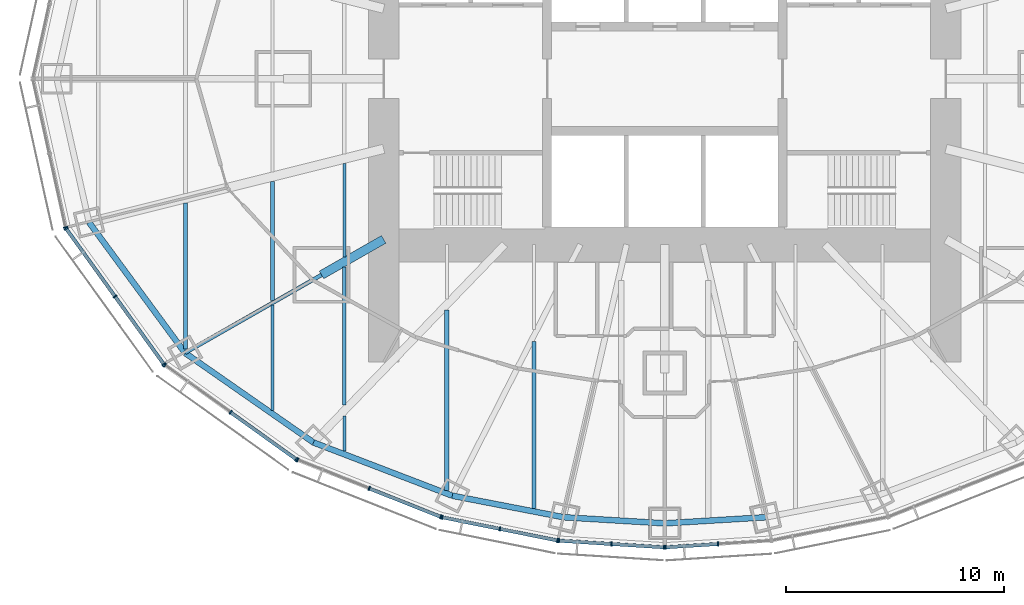
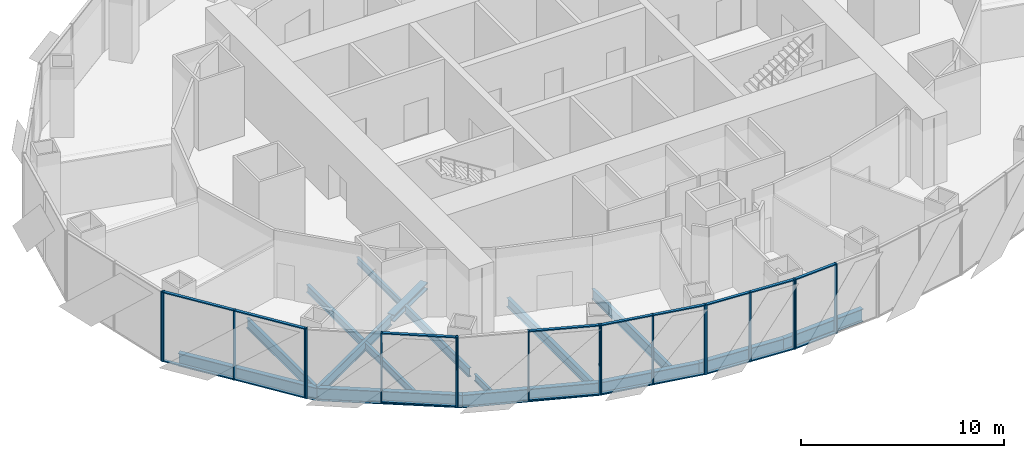
# One storey, part 2 of 17: 36 members, 16 beams, 7 elements without a shape of their own.
"""IFC4 building model written with IfcOpenShell, lengths in metres."""

from ifc_helpers import new_model, si_unit, direction, frame, origin, origin_2d, place, context, subcontext, project, spatial, rectangle, i_section, extrude, material, material_profile, profile_set, type_object, element, aggregate, save


model = new_model("IFC4")

# Units and contexts
model_context = context("Model", 3, precision=1e-05, world=origin(), true_north=direction((0.0, 1.0)))
body_context = subcontext(model_context, "Body", "Model", "MODEL_VIEW")
ifc_project = project(units=[si_unit("LENGTHUNIT", "METRE"), si_unit("AREAUNIT", "SQUARE_METRE"), si_unit("VOLUMEUNIT", "CUBIC_METRE"), si_unit("PLANEANGLEUNIT", "RADIAN"), si_unit("MASSUNIT", "GRAM", prefix="KILO")], contexts=[model_context])

# Site, building, storey
site_placement = place(None, origin())
site = spatial("IfcSite", under=ifc_project, at=site_placement, CompositionType="ELEMENT")
building_placement = place(site_placement, origin())
building = spatial("IfcBuilding", under=site, at=building_placement, Name="Lantaw Convention Tower", CompositionType="ELEMENT")
storey_placement = place(building_placement, frame((0.0, 0.0, 163.60009765625)))
storey = spatial("IfcBuildingStorey", under=building, at=storey_placement, Name="L38", CompositionType="ELEMENT", Elevation=163.60009765625)

# Beams
ifc_material_1 = material(Name="Steel ASTM A992", Category="steel")
ifc_material_profile_1 = material_profile(ifc_material_1, i_section(OverallWidth=0.2666015625, OverallDepth=0.76953125, WebThickness=0.015625, FlangeThickness=0.025390625, FilletRadius=0.0126953125, at=origin_2d()), Name="W30X132")
ifc_profile_set_1 = profile_set([ifc_material_profile_1], Name="Steel ASTM A992")
beam_type_1 = type_object("IfcBeamType", Name="Beam E W30X132", PredefinedType="SPANDREL", material=ifc_profile_set_1)
beam_1_placement = place(storey_placement, frame((-26.419921875, -6.587158203125, -0.534912109375), z_axis=(0.5923891972, -0.805651934176, 0.0), x_axis=(0.805651934176, 0.5923891972, 0.0)))
element("IfcBeam", 1, at=beam_1_placement, inside=storey, type_object=beam_type_1, Name="Edge beam 14", PredefinedType="SPANDREL", context=body_context, shape_type="SweptSolid", body=[
    extrude(i_section(OverallWidth=0.2666015625, OverallDepth=0.76953125, WebThickness=0.015625, FlangeThickness=0.025390625, FilletRadius=0.0126953125, at=origin_2d()), origin(), (0.0, 0.0, 1.0), 7.437744140625),
])
beam_2_placement = place(storey_placement, frame((-22.013916015625, -12.579345703125, -0.534912109375), z_axis=(0.820310765287, -0.57191804339, 0.0), x_axis=(0.57191804339, 0.820310765287, 0.0)))
element("IfcBeam", 2, at=beam_2_placement, inside=storey, type_object=beam_type_1, Name="Edge beam 15", PredefinedType="SPANDREL", context=body_context, shape_type="SweptSolid", body=[
    extrude(i_section(OverallWidth=0.2666015625, OverallDepth=0.76953125, WebThickness=0.015625, FlangeThickness=0.025390625, FilletRadius=0.0126953125, at=origin_2d()), origin(), (0.0, 0.0, 1.0), 7.187744140625),
])
beam_3_placement = place(storey_placement, frame((-16.11767578125, -16.690185546875, -0.534912109375), z_axis=(0.933691081977, -0.358079549033, 0.0), x_axis=(0.358079549033, 0.933691081977, 0.0)))
element("IfcBeam", 3, at=beam_3_placement, inside=storey, type_object=beam_type_1, Name="Edge beam 16", PredefinedType="SPANDREL", context=body_context, shape_type="SweptSolid", body=[
    extrude(i_section(OverallWidth=0.2666015625, OverallDepth=0.76953125, WebThickness=0.015625, FlangeThickness=0.025390625, FilletRadius=0.0126953125, at=origin_2d()), origin(), (0.0, 0.0, 1.0), 6.821533203125),
])
beam_4_placement = place(storey_placement, frame((-9.74853515625, -19.1328125, -0.534912109375), z_axis=(0.981796805654, -0.189934284446, 0.0), x_axis=(0.189934284446, 0.981796805654, 0.0)))
element("IfcBeam", 4, at=beam_4_placement, inside=storey, type_object=beam_type_1, Name="Edge beam 17", PredefinedType="SPANDREL", context=body_context, shape_type="SweptSolid", body=[
    extrude(i_section(OverallWidth=0.2666015625, OverallDepth=0.76953125, WebThickness=0.015625, FlangeThickness=0.025390625, FilletRadius=0.0126953125, at=origin_2d()), origin(), (0.0, 0.0, 1.0), 5.1982421875),
])
for number, where, z_axis, x_axis, name in (
    (5, (-4.64501953125, -20.1201171875, -0.534912109375), (0.998190892054, -0.06012439621, 0.0), (0.06012439621, 0.998190892054, 0.0), "Edge beam 18"),
    (6, (0.0, -20.39990234375, -0.534912109375), (0.998190892054, 0.06012439621, 0.0), (-0.06012439621, 0.998190892054, 0.0), "Edge beam 19"),
):
    element("IfcBeam", number, at=place(storey_placement, frame(where, z_axis=z_axis, x_axis=x_axis)), inside=storey, type_object=beam_type_1, Name=name, PredefinedType="SPANDREL", context=body_context, shape_type="SweptSolid", body=[
        extrude(i_section(OverallWidth=0.2666015625, OverallDepth=0.76953125, WebThickness=0.015625, FlangeThickness=0.025390625, FilletRadius=0.0126953125, at=origin_2d()), origin(), (0.0, 0.0, 1.0), 4.6533203125),
    ])
ifc_material_profile_2 = material_profile(ifc_material_1, i_section(OverallWidth=0.177978515625, OverallDepth=0.599365234375, WebThickness=0.010009765625, FlangeThickness=0.012939453125, FilletRadius=0.012939453125, at=origin_2d()), Name="W24X55")
ifc_profile_set_2 = profile_set([ifc_material_profile_2], Name="Steel ASTM A992")
beam_type_2 = type_object("IfcBeamType", Name="Beam G W24X55", PredefinedType="BEAM", material=ifc_profile_set_2)
beam_5_placement = place(storey_placement, frame((-15.75, -9.0, -0.44970703125), z_axis=(-0.868245224608, -0.496135293993, 0.0), x_axis=(0.496135293993, -0.868245224608, 0.0)))
element("IfcBeam", 7, at=beam_5_placement, inside=storey, type_object=beam_type_2, Name="Floor girder on ray 15", PredefinedType="BEAM", context=body_context, shape_type="SweptSolid", body=[
    extrude(i_section(OverallWidth=0.177978515625, OverallDepth=0.599365234375, WebThickness=0.010009765625, FlangeThickness=0.012939453125, FilletRadius=0.012939453125, at=origin_2d()), origin(), (0.0, 0.0, 1.0), 7.21435546875),
])
ifc_material_profile_3 = material_profile(ifc_material_1, i_section(OverallWidth=0.40380859375, OverallDepth=0.406494140625, WebThickness=0.027099609375, FlangeThickness=0.043701171875, FilletRadius=0.01513671875, at=origin_2d()), Name="W14X233")
ifc_profile_set_3 = profile_set([ifc_material_profile_3], Name="Steel ASTM A992")
beam_type_3 = type_object("IfcBeamType", Name="Beam GM W14X233", PredefinedType="BEAM", material=ifc_profile_set_3)
beam_6_placement = place(storey_placement, frame((-12.89990234375, -7.371337890625, -0.353271484375), z_axis=(-0.868238565244, -0.496146947811, 0.0), x_axis=(0.496146947811, -0.868238565244, 0.0)))
element("IfcBeam", 8, at=beam_6_placement, inside=storey, type_object=beam_type_3, Name="Core link beam on ray 15", PredefinedType="BEAM", context=body_context, shape_type="SweptSolid", body=[
    extrude(i_section(OverallWidth=0.40380859375, OverallDepth=0.406494140625, WebThickness=0.027099609375, FlangeThickness=0.043701171875, FilletRadius=0.01513671875, at=origin_2d()), origin(), (0.0, 0.0, 1.0), 3.28271484375),
])
ifc_material_profile_4 = material_profile(ifc_material_1, i_section(OverallWidth=0.140380859375, OverallDepth=0.40380859375, WebThickness=0.007080078125, FlangeThickness=0.01123046875, FilletRadius=0.01025390625, at=origin_2d()), Name="W16X31")
ifc_profile_set_4 = profile_set([ifc_material_profile_4], Name="Steel ASTM A992")
beam_type_4 = type_object("IfcBeamType", Name="Beam J W16X31", PredefinedType="JOIST", material=ifc_profile_set_4)
beam_7_placement = place(storey_placement, frame((-14.699951171875, -17.091064453125, -0.35205078125), z_axis=(0.0, 1.0, 0.0), x_axis=(-1.0, 0.0, 0.0)))
element("IfcBeam", 9, at=beam_7_placement, inside=storey, type_object=beam_type_4, Name="Floor joist", PredefinedType="JOIST", context=body_context, shape_type="SweptSolid", body=[
    extrude(i_section(OverallWidth=0.140380859375, OverallDepth=0.40380859375, WebThickness=0.007080078125, FlangeThickness=0.01123046875, FilletRadius=0.01025390625, at=origin_2d()), origin(), (0.0, 0.0, 1.0), 1.609130859375),
])
beam_8_placement = place(storey_placement, frame((-14.699951171875, -8.16748046875, -0.35205078125), z_axis=(0.0, 1.0, 0.0), x_axis=(-1.0, 0.0, 0.0)))
element("IfcBeam", 10, at=beam_8_placement, inside=storey, type_object=beam_type_4, Name="Floor joist", PredefinedType="JOIST", context=body_context, shape_type="SweptSolid", body=[
    extrude(i_section(OverallWidth=0.140380859375, OverallDepth=0.40380859375, WebThickness=0.007080078125, FlangeThickness=0.01123046875, FilletRadius=0.01025390625, at=origin_2d()), origin(), (0.0, 0.0, 1.0), 4.28515625),
])
ifc_material_profile_5 = material_profile(ifc_material_1, i_section(OverallWidth=0.15234375, OverallDepth=0.449462890625, WebThickness=0.007568359375, FlangeThickness=0.0107421875, FilletRadius=0.01025390625, at=origin_2d()), Name="W18X35")
ifc_profile_set_5 = profile_set([ifc_material_profile_5], Name="Steel ASTM A992")
beam_type_5 = type_object("IfcBeamType", Name="Beam J W18X35", PredefinedType="JOIST", material=ifc_profile_set_5)
beam_9_placement = place(storey_placement, frame((-18.0, -15.21533203125, -0.375), z_axis=(0.0, 1.0, 0.0), x_axis=(-1.0, 0.0, 0.0)))
element("IfcBeam", 11, at=beam_9_placement, inside=storey, type_object=beam_type_5, Name="Floor joist", PredefinedType="JOIST", context=body_context, shape_type="SweptSolid", body=[
    extrude(i_section(OverallWidth=0.15234375, OverallDepth=0.449462890625, WebThickness=0.007568359375, FlangeThickness=0.0107421875, FilletRadius=0.01025390625, at=origin_2d()), origin(), (0.0, 0.0, 1.0), 4.8271484375),
])
ifc_material_profile_6 = material_profile(ifc_material_1, i_section(OverallWidth=0.1904296875, OverallDepth=0.457275390625, WebThickness=0.009033203125, FlangeThickness=0.014404296875, FilletRadius=0.01025390625, at=origin_2d()), Name="W18X50")
ifc_profile_set_6 = profile_set([ifc_material_profile_6], Name="Steel ASTM A992")
beam_type_6 = type_object("IfcBeamType", Name="Beam J W18X50", PredefinedType="JOIST", material=ifc_profile_set_6)
beam_10_placement = place(storey_placement, frame((-18.0, -10.18310546875, -0.378662109375), z_axis=(0.0, 1.0, 0.0), x_axis=(-1.0, 0.0, 0.0)))
element("IfcBeam", 12, at=beam_10_placement, inside=storey, type_object=beam_type_6, Name="Floor joist", PredefinedType="JOIST", context=body_context, shape_type="SweptSolid", body=[
    extrude(i_section(OverallWidth=0.1904296875, OverallDepth=0.457275390625, WebThickness=0.009033203125, FlangeThickness=0.014404296875, FilletRadius=0.01025390625, at=origin_2d()), origin(), (0.0, 0.0, 1.0), 5.47802734375),
])
ifc_material_profile_7 = material_profile(ifc_material_1, i_section(OverallWidth=0.1650390625, OverallDepth=0.52587890625, WebThickness=0.0087890625, FlangeThickness=0.011474609375, FilletRadius=0.0126953125, at=origin_2d()), Name="W21X44")
ifc_profile_set_7 = profile_set([ifc_material_profile_7], Name="Steel ASTM A992")
beam_type_7 = type_object("IfcBeamType", Name="Beam J W21X44", PredefinedType="JOIST", material=ifc_profile_set_7)
beam_11_placement = place(storey_placement, frame((-14.699951171875, -14.962646484375, -0.4130859375), z_axis=(0.0, 1.0, 0.0), x_axis=(-1.0, 0.0, 0.0)))
element("IfcBeam", 13, at=beam_11_placement, inside=storey, type_object=beam_type_7, Name="Floor joist", PredefinedType="JOIST", context=body_context, shape_type="SweptSolid", body=[
    extrude(i_section(OverallWidth=0.1650390625, OverallDepth=0.52587890625, WebThickness=0.0087890625, FlangeThickness=0.011474609375, FilletRadius=0.0126953125, at=origin_2d()), origin(), (0.0, 0.0, 1.0), 6.330078125),
])
ifc_material_profile_8 = material_profile(ifc_material_1, i_section(OverallWidth=0.2099609375, OverallDepth=0.535888671875, WebThickness=0.010986328125, FlangeThickness=0.017333984375, FilletRadius=0.012939453125, at=origin_2d()), Name="W21X68")
ifc_profile_set_8 = profile_set([ifc_material_profile_8], Name="Steel ASTM A992")
beam_type_8 = type_object("IfcBeamType", Name="Beam J W21X68", PredefinedType="JOIST", material=ifc_profile_set_8)
beam_12_placement = place(storey_placement, frame((-10.0, -18.8935546875, -0.41796875), z_axis=(0.0, 1.0, 0.0), x_axis=(-1.0, 0.0, 0.0)))
element("IfcBeam", 14, at=beam_12_placement, inside=storey, type_object=beam_type_8, Name="Floor joist", PredefinedType="JOIST", context=body_context, shape_type="SweptSolid", body=[
    extrude(i_section(OverallWidth=0.2099609375, OverallDepth=0.535888671875, WebThickness=0.010986328125, FlangeThickness=0.017333984375, FilletRadius=0.012939453125, at=origin_2d()), origin(), (0.0, 0.0, 1.0), 8.278564453125),
])
ifc_material_profile_9 = material_profile(ifc_material_1, i_section(OverallWidth=0.177978515625, OverallDepth=0.599365234375, WebThickness=0.010009765625, FlangeThickness=0.012939453125, FilletRadius=0.012939453125, at=origin_2d()), Name="W24X55")
ifc_profile_set_9 = profile_set([ifc_material_profile_9], Name="Steel ASTM A992")
beam_type_9 = type_object("IfcBeamType", Name="Beam J W24X55", PredefinedType="JOIST", material=ifc_profile_set_9)
beam_13_placement = place(storey_placement, frame((-22.0, -12.408935546875, -0.44970703125), z_axis=(0.0, 1.0, 0.0), x_axis=(-1.0, 0.0, 0.0)))
element("IfcBeam", 15, at=beam_13_placement, inside=storey, type_object=beam_type_9, Name="Floor joist", PredefinedType="JOIST", context=body_context, shape_type="SweptSolid", body=[
    extrude(i_section(OverallWidth=0.177978515625, OverallDepth=0.599365234375, WebThickness=0.010009765625, FlangeThickness=0.012939453125, FilletRadius=0.012939453125, at=origin_2d()), origin(), (0.0, 0.0, 1.0), 6.70654296875),
])
beam_14_placement = place(storey_placement, frame((-6.0, -19.72216796875, -0.44970703125), z_axis=(0.0, 1.0, 0.0), x_axis=(-1.0, 0.0, 0.0)))
element("IfcBeam", 16, at=beam_14_placement, inside=storey, type_object=beam_type_9, Name="Floor joist", PredefinedType="JOIST", context=body_context, shape_type="SweptSolid", body=[
    extrude(i_section(OverallWidth=0.177978515625, OverallDepth=0.599365234375, WebThickness=0.010009765625, FlangeThickness=0.012939453125, FilletRadius=0.012939453125, at=origin_2d()), origin(), (0.0, 0.0, 1.0), 7.666748046875),
])

# Curtain wall, member
ifc_material_2 = material(Name="Aluminium framed curtain wall", Category="aluminium")
curtain_wall_type = type_object("IfcCurtainWallType", Name="Office curtain wall low rise, pale aluminium", PredefinedType="USERDEFINED", material=ifc_material_2)
curtain_wall_1_placement = place(storey_placement, origin())
curtain_wall_1 = element("IfcCurtainWall", 17, at=curtain_wall_1_placement, inside=storey, type_object=curtain_wall_type, Name="Office curtain wall low rise, pale aluminium L38", ObjectType="UNITISED CURTAIN WALL", PredefinedType="USERDEFINED")
ifc_material_3 = material(Name="Aluminium 6063-T6", Category="aluminium")
ifc_material_profile_10 = material_profile(ifc_material_3, rectangle(XDim=0.199951171875, YDim=0.06494140625, at=origin_2d()), Name="CW-O1 mullion 65x200")
ifc_profile_set_10 = profile_set([ifc_material_profile_10], Name="Aluminium 6063-T6")
member_type_1 = type_object("IfcMemberType", Name="CW-O1 mullion 65x200", PredefinedType="MULLION", material=ifc_profile_set_10)
member_1_placement = place(storey_placement, frame((-27.494140625, -6.821533203125, -0.150146484375), z_axis=(0.0, 0.0, 1.0), x_axis=(0.9764936509, 0.215546166174, 0.0)))
member_1 = element("IfcMember", 18, at=member_1_placement, type_object=member_type_1, Name="CW-O1 mullion 3", PredefinedType="MULLION", context=body_context, shape_type="SweptSolid", body=[
    extrude(rectangle(XDim=0.199951171875, YDim=0.06494140625, at=origin_2d()), origin(), (0.0, 0.0, 1.0), 4.199951171875),
])
aggregate(curtain_wall_1, [member_1])

# Curtain wall, members
curtain_wall_2_placement = place(storey_placement, origin())
curtain_wall_2 = element("IfcCurtainWall", 19, at=curtain_wall_2_placement, inside=storey, type_object=curtain_wall_type, Name="Office curtain wall low rise, pale aluminium L38", ObjectType="UNITISED CURTAIN WALL", PredefinedType="USERDEFINED")
member_2_placement = place(storey_placement, frame((-27.46826171875, -6.879638671875, -0.150146484375), z_axis=(0.0, 0.0, 1.0), x_axis=(0.811384633629, 0.584512597221, 0.0)))
member_2 = element("IfcMember", 20, at=member_2_placement, type_object=member_type_1, Name="CW-O1 mullion 1", PredefinedType="MULLION", context=body_context, shape_type="SweptSolid", body=[
    extrude(rectangle(XDim=0.199951171875, YDim=0.06494140625, at=origin_2d()), origin(), (0.0, 0.0, 1.0), 4.199951171875),
])
member_3_placement = place(storey_placement, frame((-25.22802734375, -9.9892578125, -0.150146484375), z_axis=(0.0, 0.0, 1.0), x_axis=(0.811384633629, 0.584512597221, 0.0)))
member_3 = element("IfcMember", 21, at=member_3_placement, type_object=member_type_1, Name="CW-O1 mullion 2", PredefinedType="MULLION", context=body_context, shape_type="SweptSolid", body=[
    extrude(rectangle(XDim=0.199951171875, YDim=0.06494140625, at=origin_2d()), origin(), (0.0, 0.0, 1.0), 4.199951171875),
])
member_4_placement = place(storey_placement, frame((-22.988037109375, -13.098876953125, -0.150146484375), z_axis=(0.0, 0.0, 1.0), x_axis=(0.811384633629, 0.584512597221, 0.0)))
member_4 = element("IfcMember", 22, at=member_4_placement, type_object=member_type_1, Name="CW-O1 mullion 3", PredefinedType="MULLION", context=body_context, shape_type="SweptSolid", body=[
    extrude(rectangle(XDim=0.199951171875, YDim=0.06494140625, at=origin_2d()), origin(), (0.0, 0.0, 1.0), 4.199951171875),
])

curtain_wall_3_placement = place(storey_placement, origin())
curtain_wall_3 = element("IfcCurtainWall", 23, at=curtain_wall_3_placement, inside=storey, type_object=curtain_wall_type, Name="Office curtain wall low rise, pale aluminium L38", ObjectType="UNITISED CURTAIN WALL", PredefinedType="USERDEFINED")
member_5_placement = place(storey_placement, frame((-22.942626953125, -13.14404296875, -0.150146484375), z_axis=(0.0, 0.0, 1.0), x_axis=(0.581972695693, 0.813208325995, 0.0)))
member_5 = element("IfcMember", 24, at=member_5_placement, type_object=member_type_1, Name="CW-O1 mullion 1", PredefinedType="MULLION", context=body_context, shape_type="SweptSolid", body=[
    extrude(rectangle(XDim=0.199951171875, YDim=0.06494140625, at=origin_2d()), origin(), (0.0, 0.0, 1.0), 4.199951171875),
])
member_6_placement = place(storey_placement, frame((-19.92529296875, -15.303466796875, -0.150146484375), z_axis=(0.0, 0.0, 1.0), x_axis=(0.581972695693, 0.813208325995, 0.0)))
member_6 = element("IfcMember", 25, at=member_6_placement, type_object=member_type_1, Name="CW-O1 mullion 2", PredefinedType="MULLION", context=body_context, shape_type="SweptSolid", body=[
    extrude(rectangle(XDim=0.199951171875, YDim=0.06494140625, at=origin_2d()), origin(), (0.0, 0.0, 1.0), 4.199951171875),
])
member_7_placement = place(storey_placement, frame((-16.908203125, -17.462646484375, -0.150146484375), z_axis=(0.0, 0.0, 1.0), x_axis=(0.581972695693, 0.813208325995, 0.0)))
member_7 = element("IfcMember", 26, at=member_7_placement, type_object=member_type_1, Name="CW-O1 mullion 3", PredefinedType="MULLION", context=body_context, shape_type="SweptSolid", body=[
    extrude(rectangle(XDim=0.199951171875, YDim=0.06494140625, at=origin_2d()), origin(), (0.0, 0.0, 1.0), 4.199951171875),
])

curtain_wall_4_placement = place(storey_placement, origin())
curtain_wall_4 = element("IfcCurtainWall", 27, at=curtain_wall_4_placement, inside=storey, type_object=curtain_wall_type, Name="Office curtain wall low rise, pale aluminium L38", ObjectType="UNITISED CURTAIN WALL", PredefinedType="USERDEFINED")
member_8_placement = place(storey_placement, frame((-16.8515625, -17.49365234375, -0.150146484375), z_axis=(0.0, 0.0, 1.0), x_axis=(0.368701907483, 0.929547687544, 0.0)))
member_8 = element("IfcMember", 28, at=member_8_placement, type_object=member_type_1, Name="CW-O1 mullion 1", PredefinedType="MULLION", context=body_context, shape_type="SweptSolid", body=[
    extrude(rectangle(XDim=0.199951171875, YDim=0.06494140625, at=origin_2d()), origin(), (0.0, 0.0, 1.0), 4.199951171875),
])
member_9_placement = place(storey_placement, frame((-13.56494140625, -18.797119140625, -0.150146484375), z_axis=(0.0, 0.0, 1.0), x_axis=(0.368701907483, 0.929547687544, 0.0)))
member_9 = element("IfcMember", 29, at=member_9_placement, type_object=member_type_1, Name="CW-O1 mullion 2", PredefinedType="MULLION", context=body_context, shape_type="SweptSolid", body=[
    extrude(rectangle(XDim=0.199951171875, YDim=0.06494140625, at=origin_2d()), origin(), (0.0, 0.0, 1.0), 4.199951171875),
])
member_10_placement = place(storey_placement, frame((-10.2783203125, -20.100830078125, -0.150146484375), z_axis=(0.0, 0.0, 1.0), x_axis=(0.368701907483, 0.929547687544, 0.0)))
member_10 = element("IfcMember", 30, at=member_10_placement, type_object=member_type_1, Name="CW-O1 mullion 3", PredefinedType="MULLION", context=body_context, shape_type="SweptSolid", body=[
    extrude(rectangle(XDim=0.199951171875, YDim=0.06494140625, at=origin_2d()), origin(), (0.0, 0.0, 1.0), 4.199951171875),
])

curtain_wall_5_placement = place(storey_placement, origin())
curtain_wall_5 = element("IfcCurtainWall", 31, at=curtain_wall_5_placement, inside=storey, type_object=curtain_wall_type, Name="Office curtain wall low rise, pale aluminium L38", ObjectType="UNITISED CURTAIN WALL", PredefinedType="USERDEFINED")
member_11_placement = place(storey_placement, frame((-10.216064453125, -20.119140625, -0.150146484375), z_axis=(0.0, 0.0, 1.0), x_axis=(0.197506809659, 0.980301514912, 0.0)))
member_11 = element("IfcMember", 32, at=member_11_placement, type_object=member_type_1, Name="CW-O1 mullion 1", PredefinedType="MULLION", context=body_context, shape_type="SweptSolid", body=[
    extrude(rectangle(XDim=0.199951171875, YDim=0.06494140625, at=origin_2d()), origin(), (0.0, 0.0, 1.0), 4.199951171875),
])
member_12_placement = place(storey_placement, frame((-7.5703125, -20.65234375, -0.150146484375), z_axis=(0.0, 0.0, 1.0), x_axis=(0.197506809659, 0.980301514912, 0.0)))
member_12 = element("IfcMember", 33, at=member_12_placement, type_object=member_type_1, Name="CW-O1 mullion 2", PredefinedType="MULLION", context=body_context, shape_type="SweptSolid", body=[
    extrude(rectangle(XDim=0.199951171875, YDim=0.06494140625, at=origin_2d()), origin(), (0.0, 0.0, 1.0), 4.199951171875),
])
member_13_placement = place(storey_placement, frame((-4.92431640625, -21.185302734375, -0.150146484375), z_axis=(0.0, 0.0, 1.0), x_axis=(0.197506809659, 0.980301514912, 0.0)))
member_13 = element("IfcMember", 34, at=member_13_placement, type_object=member_type_1, Name="CW-O1 mullion 3", PredefinedType="MULLION", context=body_context, shape_type="SweptSolid", body=[
    extrude(rectangle(XDim=0.199951171875, YDim=0.06494140625, at=origin_2d()), origin(), (0.0, 0.0, 1.0), 4.199951171875),
])

curtain_wall_6_placement = place(storey_placement, origin())
curtain_wall_6 = element("IfcCurtainWall", 35, at=curtain_wall_6_placement, inside=storey, type_object=curtain_wall_type, Name="Office curtain wall low rise, pale aluminium L38", ObjectType="UNITISED CURTAIN WALL", PredefinedType="USERDEFINED")
member_14_placement = place(storey_placement, frame((-4.860107421875, -21.19384765625, -0.150146484375), z_axis=(0.0, 0.0, 1.0), x_axis=(0.062865059466, 0.998022035978, 0.0)))
member_14 = element("IfcMember", 36, at=member_14_placement, type_object=member_type_1, Name="CW-O1 mullion 1", PredefinedType="MULLION", context=body_context, shape_type="SweptSolid", body=[
    extrude(rectangle(XDim=0.199951171875, YDim=0.06494140625, at=origin_2d()), origin(), (0.0, 0.0, 1.0), 4.199951171875),
])
member_15_placement = place(storey_placement, frame((-2.4462890625, -21.345947265625, -0.150146484375), z_axis=(0.0, 0.0, 1.0), x_axis=(0.062865059466, 0.998022035978, 0.0)))
member_15 = element("IfcMember", 37, at=member_15_placement, type_object=member_type_1, Name="CW-O1 mullion 2", PredefinedType="MULLION", context=body_context, shape_type="SweptSolid", body=[
    extrude(rectangle(XDim=0.199951171875, YDim=0.06494140625, at=origin_2d()), origin(), (0.0, 0.0, 1.0), 4.199951171875),
])
member_16_placement = place(storey_placement, frame((-0.032470703125, -21.498046875, -0.150146484375), z_axis=(0.0, 0.0, 1.0), x_axis=(0.062865059466, 0.998022035978, 0.0)))
member_16 = element("IfcMember", 38, at=member_16_placement, type_object=member_type_1, Name="CW-O1 mullion 3", PredefinedType="MULLION", context=body_context, shape_type="SweptSolid", body=[
    extrude(rectangle(XDim=0.199951171875, YDim=0.06494140625, at=origin_2d()), origin(), (0.0, 0.0, 1.0), 4.199951171875),
])

curtain_wall_7_placement = place(storey_placement, origin())
curtain_wall_7 = element("IfcCurtainWall", 39, at=curtain_wall_7_placement, inside=storey, type_object=curtain_wall_type, Name="Office curtain wall low rise, pale aluminium L38", ObjectType="UNITISED CURTAIN WALL", PredefinedType="USERDEFINED")
member_17_placement = place(storey_placement, frame((0.032470703125, -21.498046875, -0.150146484375), z_axis=(0.0, 0.0, 1.0), x_axis=(-0.062865059466, 0.998022035978, 0.0)))
member_17 = element("IfcMember", 40, at=member_17_placement, type_object=member_type_1, Name="CW-O1 mullion 1", PredefinedType="MULLION", context=body_context, shape_type="SweptSolid", body=[
    extrude(rectangle(XDim=0.199951171875, YDim=0.06494140625, at=origin_2d()), origin(), (0.0, 0.0, 1.0), 4.199951171875),
])
member_18_placement = place(storey_placement, frame((2.4462890625, -21.345947265625, -0.150146484375), z_axis=(0.0, 0.0, 1.0), x_axis=(-0.062865059466, 0.998022035978, 0.0)))
member_18 = element("IfcMember", 41, at=member_18_placement, type_object=member_type_1, Name="CW-O1 mullion 2", PredefinedType="MULLION", context=body_context, shape_type="SweptSolid", body=[
    extrude(rectangle(XDim=0.199951171875, YDim=0.06494140625, at=origin_2d()), origin(), (0.0, 0.0, 1.0), 4.199951171875),
])

# Member
ifc_material_profile_11 = material_profile(ifc_material_3, rectangle(XDim=0.159912109375, YDim=0.06494140625, at=origin_2d()), Name="CW-O1 transom 65x160")
ifc_profile_set_11 = profile_set([ifc_material_profile_11], Name="Aluminium 6063-T6")
member_type_2 = type_object("IfcMemberType", Name="CW-O1 transom 65x160", PredefinedType="USERDEFINED", material=ifc_profile_set_11)
member_19_placement = place(storey_placement, frame((-27.44921875, -6.906005859375, -0.11767578125), z_axis=(0.584512973979, -0.811384362217, 0.0), x_axis=(0.811384362217, 0.584512973979, 0.0)))
member_19 = element("IfcMember", 42, at=member_19_placement, type_object=member_type_2, Name="CW-O1 transom 1.1", ObjectType="TRANSOM", PredefinedType="USERDEFINED", context=body_context, shape_type="SweptSolid", body=[
    extrude(rectangle(XDim=0.159912109375, YDim=0.06494140625, at=origin_2d()), origin(), (0.0, 0.0, 1.0), 3.767578125),
])

member_20_placement = place(storey_placement, frame((-27.44921875, -6.906005859375, 4.017333984375), z_axis=(0.584512973979, -0.811384362217, 0.0), x_axis=(0.811384362217, 0.584512973979, 0.0)))
member_20 = element("IfcMember", 43, at=member_20_placement, type_object=member_type_2, Name="CW-O1 transom 1.2", ObjectType="TRANSOM", PredefinedType="USERDEFINED", context=body_context, shape_type="SweptSolid", body=[
    extrude(rectangle(XDim=0.159912109375, YDim=0.06494140625, at=origin_2d()), origin(), (0.0, 0.0, 1.0), 3.767578125),
])

member_21_placement = place(storey_placement, frame((-25.209228515625, -10.015625, -0.11767578125), z_axis=(0.584512973979, -0.811384362217, 0.0), x_axis=(0.811384362217, 0.584512973979, 0.0)))
member_21 = element("IfcMember", 44, at=member_21_placement, type_object=member_type_2, Name="CW-O1 transom 2.1", ObjectType="TRANSOM", PredefinedType="USERDEFINED", context=body_context, shape_type="SweptSolid", body=[
    extrude(rectangle(XDim=0.159912109375, YDim=0.06494140625, at=origin_2d()), origin(), (0.0, 0.0, 1.0), 3.767578125),
])

member_22_placement = place(storey_placement, frame((-25.209228515625, -10.015625, 4.017333984375), z_axis=(0.584512973979, -0.811384362217, 0.0), x_axis=(0.811384362217, 0.584512973979, 0.0)))
member_22 = element("IfcMember", 45, at=member_22_placement, type_object=member_type_2, Name="CW-O1 transom 2.2", ObjectType="TRANSOM", PredefinedType="USERDEFINED", context=body_context, shape_type="SweptSolid", body=[
    extrude(rectangle(XDim=0.159912109375, YDim=0.06494140625, at=origin_2d()), origin(), (0.0, 0.0, 1.0), 3.767578125),
])

aggregate(curtain_wall_2, [member_2, member_3, member_4, member_19, member_20, member_21, member_22])

member_23_placement = place(storey_placement, frame((-19.89892578125, -15.322265625, -0.11767578125), z_axis=(0.813190089133, -0.581998177777, 0.0), x_axis=(0.581998177777, 0.813190089133, 0.0)))
member_23 = element("IfcMember", 46, at=member_23_placement, type_object=member_type_2, Name="CW-O1 transom 2.1", ObjectType="TRANSOM", PredefinedType="USERDEFINED", context=body_context, shape_type="SweptSolid", body=[
    extrude(rectangle(XDim=0.159912109375, YDim=0.06494140625, at=origin_2d()), origin(), (0.0, 0.0, 1.0), 3.645263671875),
])

member_24_placement = place(storey_placement, frame((-19.89892578125, -15.322265625, 4.017333984375), z_axis=(0.813190089133, -0.581998177777, 0.0), x_axis=(0.581998177777, 0.813190089133, 0.0)))
member_24 = element("IfcMember", 47, at=member_24_placement, type_object=member_type_2, Name="CW-O1 transom 2.2", ObjectType="TRANSOM", PredefinedType="USERDEFINED", context=body_context, shape_type="SweptSolid", body=[
    extrude(rectangle(XDim=0.159912109375, YDim=0.06494140625, at=origin_2d()), origin(), (0.0, 0.0, 1.0), 3.645263671875),
])

aggregate(curtain_wall_3, [member_5, member_6, member_7, member_23, member_24])

member_25_placement = place(storey_placement, frame((-13.53466796875, -18.80908203125, -0.11767578125), z_axis=(0.929540081544, -0.368721082668, 0.0), x_axis=(0.368721082668, 0.929540081544, 0.0)))
member_25 = element("IfcMember", 48, at=member_25_placement, type_object=member_type_2, Name="CW-O1 transom 2.1", ObjectType="TRANSOM", PredefinedType="USERDEFINED", context=body_context, shape_type="SweptSolid", body=[
    extrude(rectangle(XDim=0.159912109375, YDim=0.06494140625, at=origin_2d()), origin(), (0.0, 0.0, 1.0), 3.470947265625),
])

member_26_placement = place(storey_placement, frame((-13.53466796875, -18.80908203125, 4.017333984375), z_axis=(0.929540081544, -0.368721082668, 0.0), x_axis=(0.368721082668, 0.929540081544, 0.0)))
member_26 = element("IfcMember", 49, at=member_26_placement, type_object=member_type_2, Name="CW-O1 transom 2.2", ObjectType="TRANSOM", PredefinedType="USERDEFINED", context=body_context, shape_type="SweptSolid", body=[
    extrude(rectangle(XDim=0.159912109375, YDim=0.06494140625, at=origin_2d()), origin(), (0.0, 0.0, 1.0), 3.470947265625),
])

aggregate(curtain_wall_4, [member_8, member_9, member_10, member_25, member_26])

member_27_placement = place(storey_placement, frame((-10.184326171875, -20.125732421875, -0.11767578125), z_axis=(0.980301643003, -0.197506173891, 0.0), x_axis=(0.197506173891, 0.980301643003, 0.0)))
member_27 = element("IfcMember", 50, at=member_27_placement, type_object=member_type_2, Name="CW-O1 transom 1.1", ObjectType="TRANSOM", PredefinedType="USERDEFINED", context=body_context, shape_type="SweptSolid", body=[
    extrude(rectangle(XDim=0.159912109375, YDim=0.06494140625, at=origin_2d()), origin(), (0.0, 0.0, 1.0), 2.63427734375),
])

member_28_placement = place(storey_placement, frame((-10.184326171875, -20.125732421875, 4.017333984375), z_axis=(0.980301643003, -0.197506173891, 0.0), x_axis=(0.197506173891, 0.980301643003, 0.0)))
member_28 = element("IfcMember", 51, at=member_28_placement, type_object=member_type_2, Name="CW-O1 transom 1.2", ObjectType="TRANSOM", PredefinedType="USERDEFINED", context=body_context, shape_type="SweptSolid", body=[
    extrude(rectangle(XDim=0.159912109375, YDim=0.06494140625, at=origin_2d()), origin(), (0.0, 0.0, 1.0), 2.63427734375),
])

member_29_placement = place(storey_placement, frame((-7.538330078125, -20.65869140625, -0.11767578125), z_axis=(0.980298027092, -0.197524120247, 0.0), x_axis=(0.197524120247, 0.980298027092, 0.0)))
member_29 = element("IfcMember", 52, at=member_29_placement, type_object=member_type_2, Name="CW-O1 transom 2.1", ObjectType="TRANSOM", PredefinedType="USERDEFINED", context=body_context, shape_type="SweptSolid", body=[
    extrude(rectangle(XDim=0.159912109375, YDim=0.06494140625, at=origin_2d()), origin(), (0.0, 0.0, 1.0), 2.634033203125),
])

member_30_placement = place(storey_placement, frame((-7.538330078125, -20.65869140625, 4.017333984375), z_axis=(0.980298027092, -0.197524120247, 0.0), x_axis=(0.197524120247, 0.980298027092, 0.0)))
member_30 = element("IfcMember", 53, at=member_30_placement, type_object=member_type_2, Name="CW-O1 transom 2.2", ObjectType="TRANSOM", PredefinedType="USERDEFINED", context=body_context, shape_type="SweptSolid", body=[
    extrude(rectangle(XDim=0.159912109375, YDim=0.06494140625, at=origin_2d()), origin(), (0.0, 0.0, 1.0), 2.634033203125),
])

aggregate(curtain_wall_5, [member_11, member_12, member_13, member_27, member_28, member_29, member_30])

member_31_placement = place(storey_placement, frame((-4.82763671875, -21.19580078125, -0.11767578125), z_axis=(0.998022188463, -0.062862638625, 0.0), x_axis=(0.062862638625, 0.998022188463, 0.0)))
member_31 = element("IfcMember", 54, at=member_31_placement, type_object=member_type_2, Name="CW-O1 transom 1.1", ObjectType="TRANSOM", PredefinedType="USERDEFINED", context=body_context, shape_type="SweptSolid", body=[
    extrude(rectangle(XDim=0.159912109375, YDim=0.06494140625, at=origin_2d()), origin(), (0.0, 0.0, 1.0), 2.353515625),
])

member_32_placement = place(storey_placement, frame((-4.82763671875, -21.19580078125, 4.017333984375), z_axis=(0.998022188463, -0.062862638625, 0.0), x_axis=(0.062862638625, 0.998022188463, 0.0)))
member_32 = element("IfcMember", 55, at=member_32_placement, type_object=member_type_2, Name="CW-O1 transom 1.2", ObjectType="TRANSOM", PredefinedType="USERDEFINED", context=body_context, shape_type="SweptSolid", body=[
    extrude(rectangle(XDim=0.159912109375, YDim=0.06494140625, at=origin_2d()), origin(), (0.0, 0.0, 1.0), 2.353515625),
])

member_33_placement = place(storey_placement, frame((-2.413818359375, -21.347900390625, -0.11767578125), z_axis=(0.998022188463, -0.062862638625, 0.0), x_axis=(0.062862638625, 0.998022188463, 0.0)))
member_33 = element("IfcMember", 56, at=member_33_placement, type_object=member_type_2, Name="CW-O1 transom 2.1", ObjectType="TRANSOM", PredefinedType="USERDEFINED", context=body_context, shape_type="SweptSolid", body=[
    extrude(rectangle(XDim=0.159912109375, YDim=0.06494140625, at=origin_2d()), origin(), (0.0, 0.0, 1.0), 2.353515625),
])

member_34_placement = place(storey_placement, frame((-2.413818359375, -21.347900390625, 4.017333984375), z_axis=(0.998022188463, -0.062862638625, 0.0), x_axis=(0.062862638625, 0.998022188463, 0.0)))
member_34 = element("IfcMember", 57, at=member_34_placement, type_object=member_type_2, Name="CW-O1 transom 2.2", ObjectType="TRANSOM", PredefinedType="USERDEFINED", context=body_context, shape_type="SweptSolid", body=[
    extrude(rectangle(XDim=0.159912109375, YDim=0.06494140625, at=origin_2d()), origin(), (0.0, 0.0, 1.0), 2.353515625),
])

aggregate(curtain_wall_6, [member_14, member_15, member_16, member_31, member_32, member_33, member_34])

member_35_placement = place(storey_placement, frame((0.06494140625, -21.495849609375, -0.11767578125), z_axis=(0.998022188463, 0.062862638625, 0.0), x_axis=(-0.062862638625, 0.998022188463, 0.0)))
member_35 = element("IfcMember", 58, at=member_35_placement, type_object=member_type_2, Name="CW-O1 transom 1.1", ObjectType="TRANSOM", PredefinedType="USERDEFINED", context=body_context, shape_type="SweptSolid", body=[
    extrude(rectangle(XDim=0.159912109375, YDim=0.06494140625, at=origin_2d()), origin(), (0.0, 0.0, 1.0), 2.353515625),
])

member_36_placement = place(storey_placement, frame((0.06494140625, -21.495849609375, 4.017333984375), z_axis=(0.998022188463, 0.062862638625, 0.0), x_axis=(-0.062862638625, 0.998022188463, 0.0)))
member_36 = element("IfcMember", 59, at=member_36_placement, type_object=member_type_2, Name="CW-O1 transom 1.2", ObjectType="TRANSOM", PredefinedType="USERDEFINED", context=body_context, shape_type="SweptSolid", body=[
    extrude(rectangle(XDim=0.159912109375, YDim=0.06494140625, at=origin_2d()), origin(), (0.0, 0.0, 1.0), 2.353515625),
])

aggregate(curtain_wall_7, [member_17, member_18, member_35, member_36])

save(model, "model.ifc")
